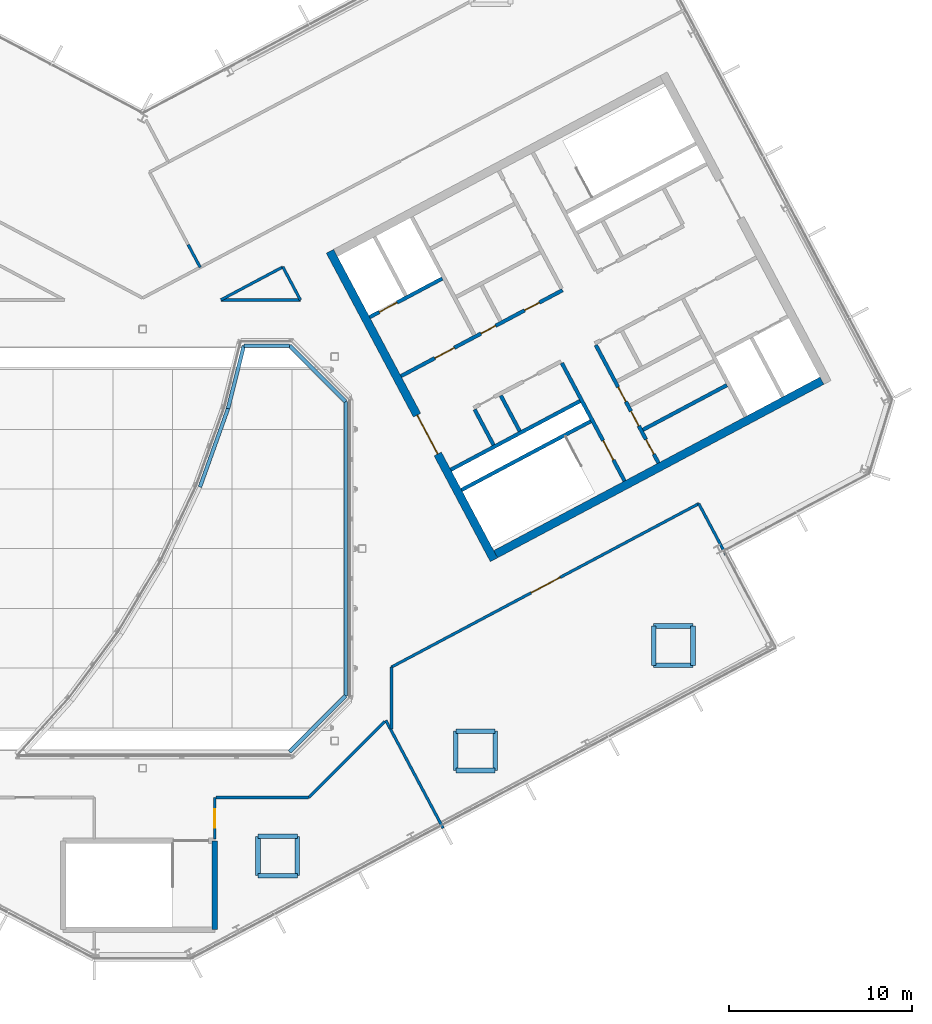
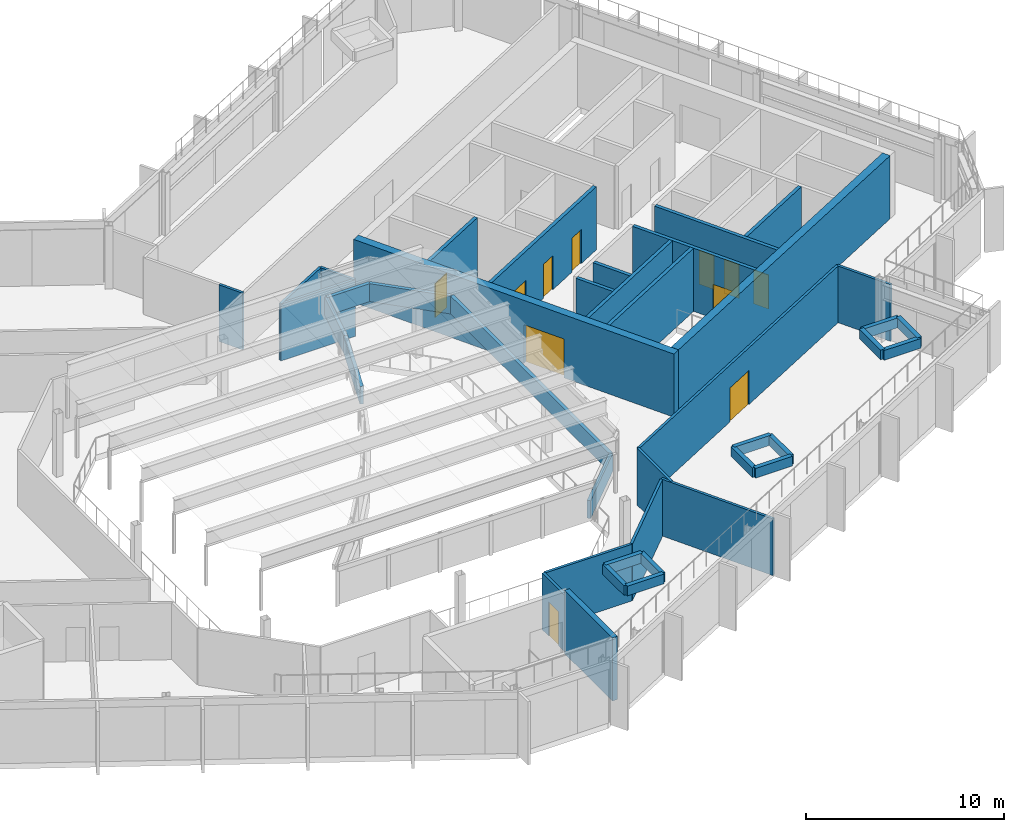
# One storey, part 26 of 35: 41 walls, 11 doors, 11 openings.
"""IFC4 building model written with IfcOpenShell, lengths in metres."""

import ifcopenshell
import ifcopenshell.guid

model = None  # the IFC model being written
_history = None  # IfcOwnerHistory: only IFC2X3 demands one
_inside = {}  # id of a spatial element -> (the spatial element, [elements in it])
_under = {}  # id of a project, library or spatial element -> (it, [spatial elements below it])
_declared = {}  # id of a project -> (the project, [libraries it declares])
_typed = {}  # id of a type object -> (the type object, [elements of that type])
_made_of = {}  # id of a material, layer set ... -> (it, [elements and type objects made of it])


def new_model(schema):
    """Start an empty IFC model of exactly this schema.

    Asked for "IFC4X3", IfcOpenShell would pick the latest addendum, in which some entities
    have other attributes; the version numbers below select the first issue.
    IFC2X3 requires an IfcOwnerHistory on every rooted entity: one is made here for all.
    """
    global model, _history
    if schema == "IFC4X3":
        model = ifcopenshell.file(schema_version=(4, 3, 0, 0))
    else:
        model = ifcopenshell.file(schema=schema)
    _inside.clear()
    _under.clear()
    _declared.clear()
    _typed.clear()
    _made_of.clear()
    _history = None
    if model.schema == "IFC2X3":
        org = make("IfcOrganization", Name="unknown")
        user = make(
            "IfcPersonAndOrganization",
            ThePerson=make("IfcPerson", FamilyName="unknown"),
            TheOrganization=org,
        )
        app = make(
            "IfcApplication",
            ApplicationDeveloper=org,
            Version="unknown",
            ApplicationFullName="unknown",
            ApplicationIdentifier="unknown",
        )
        _history = make(
            "IfcOwnerHistory",
            OwningUser=user,
            OwningApplication=app,
            ChangeAction="ADDED",
            CreationDate=0,
        )
    return model


def make(cls, **values):
    """One entity of the class cls with the attributes given. An attribute that is None is left unset."""
    return model.create_entity(
        cls, **{name: value for name, value in values.items() if value is not None}
    )


def rooted(cls, **values):
    """An entity with a GlobalId (a new one), such as an element, a storey or a relation."""
    return make(cls, GlobalId=ifcopenshell.guid.new(), OwnerHistory=_history, **values)


def si_unit(unit_type, name, prefix=None):
    """IfcSIUnit, for example si_unit("LENGTHUNIT", "METRE", prefix="MILLI")."""
    return make("IfcSIUnit", UnitType=unit_type, Prefix=prefix, Name=name)


def assignment(units):
    """IfcUnitAssignment: the units of a project."""
    return None if units is None else make("IfcUnitAssignment", Units=units)


def point(xyz):
    """IfcCartesianPoint."""
    return None if xyz is None else make("IfcCartesianPoint", Coordinates=xyz)


def direction(xyz):
    """IfcDirection."""
    return None if xyz is None else make("IfcDirection", DirectionRatios=xyz)


def frame(location, z_axis=None, x_axis=None):
    """IfcAxis2Placement3D, a coordinate frame: its origin and axes. An axis left out is left unset."""
    return make(
        "IfcAxis2Placement3D",
        Location=point(location),
        Axis=direction(z_axis),
        RefDirection=direction(x_axis),
    )


def frame_2d(location, x_axis=None):
    """IfcAxis2Placement2D, a coordinate frame in the plane: its origin and x axis."""
    return make(
        "IfcAxis2Placement2D", Location=point(location), RefDirection=direction(x_axis)
    )


def origin():
    """The frame at (0, 0, 0) with its axes left unset."""
    return frame((0.0, 0.0, 0.0))


def place(relative_to, where):
    """IfcLocalPlacement: puts the frame where relative to a parent placement (None: the world)."""
    return make(
        "IfcLocalPlacement", PlacementRelTo=relative_to, RelativePlacement=where
    )


def context(
    kind, dimensions, precision=None, world=None, true_north=None, identifier=None
):
    """IfcGeometricRepresentationContext, for example the 3D "Model" context."""
    return make(
        "IfcGeometricRepresentationContext",
        ContextIdentifier=identifier,
        ContextType=kind,
        CoordinateSpaceDimension=dimensions,
        Precision=precision,
        WorldCoordinateSystem=world,
        TrueNorth=true_north,
    )


def subcontext(parent, identifier, kind, view, scale=None):
    """IfcGeometricRepresentationSubContext, for example "Body" below "Model"."""
    return make(
        "IfcGeometricRepresentationSubContext",
        ContextIdentifier=identifier,
        ContextType=kind,
        ParentContext=parent,
        TargetScale=scale,
        TargetView=view,
    )


def project(units=None, contexts=None):
    """IfcProject with its units and contexts."""
    return rooted(
        "IfcProject",
        Name="project",
        RepresentationContexts=contexts,
        UnitsInContext=assignment(units),
    )


def spatial(cls, under=None, at=None, **own):
    """A site, building, storey or space (cls), placed at a placement, below another one or the project."""
    s = rooted(cls, ObjectPlacement=at, **own)
    if under is not None:
        _under.setdefault(under.id(), (under, []))[1].append(s)
    return s


def profile(cls, at=None, kind="AREA", **sizes):
    """A parametric profile (cls). Its sizes go by their IFC names, for example OverallWidth=200.0."""
    return make(cls, ProfileType=kind, Position=at, **sizes)


def rectangle(**sizes):
    """IfcRectangleProfileDef."""
    return profile("IfcRectangleProfileDef", **sizes)


def extrude(swept, where, along, depth):
    """IfcExtrudedAreaSolid: the profile swept, set in the frame where, extruded along a direction by depth."""
    return make(
        "IfcExtrudedAreaSolid",
        SweptArea=swept,
        Position=where,
        ExtrudedDirection=direction(along),
        Depth=depth,
    )


def shape(context_of_items, identifier, shape_type, items):
    """IfcShapeRepresentation: the items that make up one representation, for example the "Body"."""
    return make(
        "IfcShapeRepresentation",
        ContextOfItems=context_of_items,
        RepresentationIdentifier=identifier,
        RepresentationType=shape_type,
        Items=items,
    )


def material(Name=None, Category=None):
    """IfcMaterial."""
    return make("IfcMaterial", Name=Name, Category=Category)


def layer(
    of_material, thickness, ventilated=None, Name=None, Category=None, Priority=None
):
    """IfcMaterialLayer: one layer of a wall or slab, of a material (None: an air gap)."""
    return make(
        "IfcMaterialLayer",
        Material=of_material,
        LayerThickness=thickness,
        IsVentilated=ventilated,
        Name=Name,
        Category=Category,
        Priority=Priority,
    )


def layer_set(layers, Name=None):
    """IfcMaterialLayerSet."""
    return make("IfcMaterialLayerSet", MaterialLayers=layers, LayerSetName=Name)


def made_of(thing, what):
    """Note that an element or type object is made of a material, layer set ...; save() writes the relation."""
    if what is not None:
        _made_of.setdefault(what.id(), (what, []))[1].append(thing)
    return thing


def type_object(cls, material=None, **own):
    """A type object (cls), such as IfcWallType, which elements share."""
    return made_of(rooted(cls, **own), material)


def element(
    cls,
    number,
    at=None,
    inside=None,
    cuts=None,
    type_object=None,
    material=None,
    context=None,
    identifier="Body",
    shape_type=None,
    held_by="IfcProductDefinitionShape",
    body=None,
    shapes=None,
    **own,
):
    """One element of the class cls, such as IfcWall. Its Tag is "e" and its number.

    at: its placement. inside: the storey or other place that contains it. cuts: it is an
    opening in that element (IfcRelVoidsElement). A single representation is given by context,
    identifier, shape_type and body (its items); several are given by shapes. held_by: the class
    of the entity that holds the representations. save() writes the other relations.
    """
    e = rooted(cls, Tag="e%d" % number, ObjectPlacement=at, **own)
    if body is not None:
        shapes = [shape(context, identifier, shape_type, body)]
    if shapes is not None:
        e.Representation = make(held_by, Representations=shapes)
    if inside is not None:
        _inside.setdefault(inside.id(), (inside, []))[1].append(e)
    if cuts is not None:
        rooted(
            "IfcRelVoidsElement", RelatingBuildingElement=cuts, RelatedOpeningElement=e
        )
    if type_object is not None:
        _typed.setdefault(type_object.id(), (type_object, []))[1].append(e)
    return made_of(e, material)


def fill(opening, filler):
    """IfcRelFillsElement: the door or window that sits in an opening."""
    return rooted(
        "IfcRelFillsElement",
        RelatingOpeningElement=opening,
        RelatedBuildingElement=filler,
    )


def aggregate(whole, parts):
    """IfcRelAggregates: a whole, such as a stair, and the parts it consists of."""
    return rooted("IfcRelAggregates", RelatingObject=whole, RelatedObjects=parts)


def save(model, path):
    """Write the relations noted so far, then the file.

    IfcRelAggregates (storeys below a building ...), IfcRelContainedInSpatialStructure (elements
    in a storey), IfcRelDefinesByType, IfcRelAssociatesMaterial and IfcRelDeclares: one each for
    every whole, place, type object, material and project.
    """
    for whole, parts in _under.values():
        aggregate(whole, parts)
    for where, things in _inside.values():
        rooted(
            "IfcRelContainedInSpatialStructure",
            RelatedElements=things,
            RelatingStructure=where,
        )
    for kind, things in _typed.values():
        rooted("IfcRelDefinesByType", RelatedObjects=things, RelatingType=kind)
    for what, things in _made_of.values():
        rooted("IfcRelAssociatesMaterial", RelatedObjects=things, RelatingMaterial=what)
    for by, libraries in _declared.values():
        rooted("IfcRelDeclares", RelatingContext=by, RelatedDefinitions=libraries)
    model.write(path)


model = new_model("IFC4")

# Units and contexts
model_context = context("Model", 3, precision=1e-05, world=origin(), true_north=direction((0.0, 1.0)))
body_context = subcontext(model_context, "Body", "Model", "MODEL_VIEW")
ifc_project = project(units=[si_unit("LENGTHUNIT", "METRE"), si_unit("AREAUNIT", "SQUARE_METRE"), si_unit("VOLUMEUNIT", "CUBIC_METRE"), si_unit("PLANEANGLEUNIT", "RADIAN"), si_unit("MASSUNIT", "GRAM", prefix="KILO")], contexts=[model_context])

# Site, building, storey
site_placement = place(None, origin())
site = spatial("IfcSite", under=ifc_project, at=site_placement, CompositionType="ELEMENT")
building_placement = place(site_placement, origin())
building = spatial("IfcBuilding", under=site, at=building_placement, Name="Cormorant Relay Tower", CompositionType="ELEMENT")
storey_placement = place(building_placement, frame((0.0, 0.0, 324.300048828125)))
storey = spatial("IfcBuildingStorey", under=building, at=storey_placement, Name="L74", CompositionType="ELEMENT", Elevation=324.300048828125)

# Walls
ifc_material_1 = material(Name="Concrete 40 MPa", Category="concrete")
ifc_layer_1 = layer(ifc_material_1, 0.199951171875)
ifc_layer_set_1 = layer_set([ifc_layer_1], Name="Core internal wall 200")
wall_type_1 = type_object("IfcWallType", Name="Core internal wall 200", PredefinedType="SOLIDWALL", material=ifc_layer_set_1)
wall_1_placement = place(storey_placement, frame((20.614013671875, 6.430419921875, 0.0), z_axis=(0.0, 0.0, 1.0), x_axis=(-0.4694473164, 0.882960484464, 0.0)))
element("IfcWall", 1, at=wall_1_placement, inside=storey, type_object=wall_type_1, Name="L74 core B shaft and room wall", PredefinedType="SOLIDWALL", context=body_context, shape_type="SweptSolid", body=[
    extrude(rectangle(XDim=2.199951171875, YDim=0.199951171875, at=frame_2d((1.10009765625, 0.0))), origin(), (0.0, 0.0, 1.0), 3.89990234375),
])
wall_2_placement = place(storey_placement, frame((27.349365234375, 6.500732421875, 0.0), z_axis=(0.0, 0.0, 1.0), x_axis=(0.882953967957, 0.469459572775, 0.0)))
element("IfcWall", 2, at=wall_2_placement, inside=storey, type_object=wall_type_1, Name="L74 core B shaft and room wall", PredefinedType="SOLIDWALL", context=body_context, shape_type="SweptSolid", body=[
    extrude(rectangle(XDim=5.199951171875, YDim=0.199951171875, at=frame_2d((2.60009765625, 0.0))), origin(), (0.0, 0.0, 1.0), 3.89990234375),
])
ifc_material_2 = material(Name="Concrete 50 MPa", Category="concrete")
ifc_layer_2 = layer(ifc_material_2, 0.199951171875)
ifc_layer_set_2 = layer_set([ifc_layer_2], Name="Core shaft wall 200")
wall_type_2 = type_object("IfcWallType", Name="Core shaft wall 200", PredefinedType="SHEAR", material=ifc_layer_set_2)
wall_3_placement = place(storey_placement, frame((19.18359375, 5.669921875, 0.0), z_axis=(0.0, 0.0, 1.0), x_axis=(-0.4694473164, 0.882960484464, 0.0)))
element("IfcWall", 3, at=wall_3_placement, inside=storey, type_object=wall_type_2, Name="L74 core B shaft wall", PredefinedType="SHEAR", context=body_context, shape_type="SweptSolid", body=[
    extrude(rectangle(XDim=2.199951171875, YDim=0.199951171875, at=frame_2d((1.10009765625, 0.0))), origin(), (0.0, 0.0, 1.0), 3.89990234375),
])

# Wall, opening, door
wall_4_placement = place(storey_placement, frame((26.345947265625, 3.701904296875, 0.0), z_axis=(0.0, 0.0, 1.0), x_axis=(-0.469480409012, 0.88294288918, 0.0)))
wall_4 = element("IfcWall", 4, at=wall_4_placement, inside=storey, type_object=wall_type_2, Name="L74 core B shaft wall", PredefinedType="SHEAR", context=body_context, shape_type="SweptSolid", body=[
    extrude(rectangle(XDim=7.300048828125, YDim=0.199951171875, at=frame_2d((3.64990234375, 0.0))), origin(), (0.0, 0.0, 1.0), 3.89990234375),
])
opening_1_placement = place(wall_4_placement, frame((1.300048828125, 0.0, 0.0)))
opening_1 = element("IfcOpeningElement", 5, at=opening_1_placement, cuts=wall_4, Name="Opening CDB-040", PredefinedType="OPENING", context=body_context, shape_type="SweptSolid", body=[
    extrude(rectangle(XDim=1.199951171875, YDim=2.10009765625, at=frame_2d((0.60009765625, 1.050048828125))), frame((0.0, 0.10986328125, 0.0), z_axis=(0.0, -1.0, 0.0), x_axis=(1.0, 0.0, 0.0)), (0.0, 0.0, 1.0), 0.219970703125),
])
ifc_material_3 = material(Name="Steel fire door", Category="steel")
door_type_1 = type_object("IfcDoorType", Name="Core stair door 1200x2100", OperationType="SINGLE_SWING_LEFT", PredefinedType="DOOR", material=ifc_material_3)
door_1_placement = place(opening_1_placement, origin())
door_1 = element("IfcDoor", 6, at=door_1_placement, inside=storey, type_object=door_type_1, Name="Core stair door 1200x2100", OperationType="SINGLE_SWING_RIGHT", OverallHeight=2.10009765625, OverallWidth=1.199951171875, PredefinedType="DOOR", context=body_context, shape_type="SweptSolid", body=[
    extrude(rectangle(XDim=1.199951171875, YDim=2.10009765625, at=frame_2d((0.60009765625, 1.050048828125))), frame((0.0, 0.02490234375, 0.0), z_axis=(0.0, -1.0, 0.0), x_axis=(1.0, 0.0, 0.0)), (0.0, 0.0, 1.0), 0.050048828125),
])
fill(opening_1, door_1)

# Wall, openings, doors
wall_5_placement = place(storey_placement, frame((28.199951171875, 4.687744140625, 0.0), z_axis=(0.0, 0.0, 1.0), x_axis=(-0.469454336211, 0.882956752176, 0.0)))
wall_5 = element("IfcWall", 7, at=wall_5_placement, inside=storey, type_object=wall_type_2, Name="L74 core B shaft wall", PredefinedType="SHEAR", context=body_context, shape_type="SweptSolid", body=[
    extrude(rectangle(XDim=7.300048828125, YDim=0.199951171875, at=frame_2d((3.64990234375, 0.0))), origin(), (0.0, 0.0, 1.0), 3.89990234375),
])
opening_2_placement = place(wall_5_placement, frame((0.550048828125, 0.0, 0.0)))
opening_2 = element("IfcOpeningElement", 8, at=opening_2_placement, cuts=wall_5, Name="Opening CDD-265", PredefinedType="OPENING", context=body_context, shape_type="SweptSolid", body=[
    extrude(rectangle(XDim=0.89990234375, YDim=2.10009765625, at=frame_2d((0.449951171875, 1.050048828125))), frame((0.0, 0.10986328125, 0.0), z_axis=(0.0, -1.0, 0.0), x_axis=(1.0, 0.0, 0.0)), (0.0, 0.0, 1.0), 0.219970703125),
])
opening_3_placement = place(wall_5_placement, frame((2.300048828125, 0.0, 0.0)))
opening_3 = element("IfcOpeningElement", 9, at=opening_3_placement, cuts=wall_5, Name="Opening CDD-266", PredefinedType="OPENING", context=body_context, shape_type="SweptSolid", body=[
    extrude(rectangle(XDim=0.89990234375, YDim=2.10009765625, at=frame_2d((0.449951171875, 1.050048828125))), frame((0.0, 0.10986328125, 0.0), z_axis=(0.0, -1.0, 0.0), x_axis=(1.0, 0.0, 0.0)), (0.0, 0.0, 1.0), 0.219970703125),
])
opening_4_placement = place(wall_5_placement, frame((3.800048828125, 0.0, 0.0)))
opening_4 = element("IfcOpeningElement", 10, at=opening_4_placement, cuts=wall_5, Name="Opening CDD-267", PredefinedType="OPENING", context=body_context, shape_type="SweptSolid", body=[
    extrude(rectangle(XDim=0.89990234375, YDim=2.10009765625, at=frame_2d((0.449951171875, 1.050048828125))), frame((0.0, 0.10986328125, 0.0), z_axis=(0.0, -1.0, 0.0), x_axis=(1.0, 0.0, 0.0)), (0.0, 0.0, 1.0), 0.219970703125),
])
ifc_material_4 = material(Name="Steel fire door", Category="steel")
door_type_2 = type_object("IfcDoorType", Name="Core room door 900x2100", OperationType="SINGLE_SWING_LEFT", PredefinedType="DOOR", material=ifc_material_4)
door_2_placement = place(opening_2_placement, frame((0.89990234375, 0.0, 0.0), z_axis=(0.0, 0.0, 1.0), x_axis=(-1.0, 0.0, 0.0)))
door_2 = element("IfcDoor", 11, at=door_2_placement, inside=storey, type_object=door_type_2, Name="Core room door 900x2100", OperationType="SINGLE_SWING_LEFT", OverallHeight=2.10009765625, OverallWidth=0.89990234375, PredefinedType="DOOR", context=body_context, shape_type="SweptSolid", body=[
    extrude(rectangle(XDim=0.89990234375, YDim=2.10009765625, at=frame_2d((0.449951171875, 1.050048828125))), frame((0.0, 0.02490234375, 0.0), z_axis=(0.0, -1.0, 0.0), x_axis=(1.0, 0.0, 0.0)), (0.0, 0.0, 1.0), 0.050048828125),
])
fill(opening_2, door_2)
door_3_placement = place(opening_3_placement, frame((0.89990234375, 0.0, 0.0), z_axis=(0.0, 0.0, 1.0), x_axis=(-1.0, 0.0, 0.0)))
door_3 = element("IfcDoor", 12, at=door_3_placement, inside=storey, type_object=door_type_2, Name="Core room door 900x2100", OperationType="SINGLE_SWING_LEFT", OverallHeight=2.10009765625, OverallWidth=0.89990234375, PredefinedType="DOOR", context=body_context, shape_type="SweptSolid", body=[
    extrude(rectangle(XDim=0.89990234375, YDim=2.10009765625, at=frame_2d((0.449951171875, 1.050048828125))), frame((0.0, 0.02490234375, 0.0), z_axis=(0.0, -1.0, 0.0), x_axis=(1.0, 0.0, 0.0)), (0.0, 0.0, 1.0), 0.050048828125),
])
fill(opening_3, door_3)
door_4_placement = place(opening_4_placement, frame((0.89990234375, 0.0, 0.0), z_axis=(0.0, 0.0, 1.0), x_axis=(-1.0, 0.0, 0.0)))
door_4 = element("IfcDoor", 13, at=door_4_placement, inside=storey, type_object=door_type_2, Name="Core room door 900x2100", OperationType="SINGLE_SWING_LEFT", OverallHeight=2.10009765625, OverallWidth=0.89990234375, PredefinedType="DOOR", context=body_context, shape_type="SweptSolid", body=[
    extrude(rectangle(XDim=0.89990234375, YDim=2.10009765625, at=frame_2d((0.449951171875, 1.050048828125))), frame((0.0, 0.02490234375, 0.0), z_axis=(0.0, -1.0, 0.0), x_axis=(1.0, 0.0, 0.0)), (0.0, 0.0, 1.0), 0.050048828125),
])
fill(opening_4, door_4)

# Walls
for number, where, z_axis, x_axis, name in (
    (14, (17.43359375, 3.210205078125, 0.0), (0.0, 0.0, 1.0), (0.882940221191, 0.469485426614, 0.0), "L74 core B shaft wall"),
    (15, (16.8466796875, 4.31396484375, 0.0), (0.0, 0.0, 1.0), (0.882940221191, 0.469485426614, 0.0), "L74 core B shaft wall"),
):
    element("IfcWall", number, at=place(storey_placement, frame(where, z_axis=z_axis, x_axis=x_axis)), inside=storey, type_object=wall_type_2, Name=name, PredefinedType="SHEAR", context=body_context, shape_type="SweptSolid", body=[
        extrude(rectangle(XDim=8.0, YDim=0.199951171875, at=frame_2d((4.0, 0.0))), origin(), (0.0, 0.0, 1.0), 3.89990234375),
    ])

# Wall, openings, doors
wall_6_placement = place(storey_placement, frame((14.123779296875, 9.43505859375, 0.0), z_axis=(0.0, 0.0, 1.0), x_axis=(0.882940221191, 0.469485426614, 0.0)))
wall_6 = element("IfcWall", 16, at=wall_6_placement, inside=storey, type_object=wall_type_2, Name="L74 core B shaft wall", PredefinedType="SHEAR", context=body_context, shape_type="SweptSolid", body=[
    extrude(rectangle(XDim=10.0, YDim=0.199951171875, at=frame_2d((5.0, 0.0))), origin(), (0.0, 0.0, 1.0), 3.89990234375),
])
opening_5_placement = place(wall_6_placement, frame((2.10009765625, 0.0, 0.0)))
opening_5 = element("IfcOpeningElement", 17, at=opening_5_placement, cuts=wall_6, Name="Opening CDC-037", PredefinedType="OPENING", context=body_context, shape_type="SweptSolid", body=[
    extrude(rectangle(XDim=1.199951171875, YDim=2.10009765625, at=frame_2d((0.60009765625, 1.050048828125))), frame((0.0, 0.10986328125, 0.0), z_axis=(0.0, -1.0, 0.0), x_axis=(1.0, 0.0, 0.0)), (0.0, 0.0, 1.0), 0.219970703125),
])
opening_6_placement = place(wall_6_placement, frame((4.9599609375, 0.0, 0.0)))
opening_6 = element("IfcOpeningElement", 18, at=opening_6_placement, cuts=wall_6, Name="Opening CDD-293", PredefinedType="OPENING", context=body_context, shape_type="SweptSolid", body=[
    extrude(rectangle(XDim=0.89990234375, YDim=2.10009765625, at=frame_2d((0.449951171875, 1.050048828125))), frame((0.0, 0.10986328125, 0.0), z_axis=(0.0, -1.0, 0.0), x_axis=(1.0, 0.0, 0.0)), (0.0, 0.0, 1.0), 0.219970703125),
])
opening_7_placement = place(wall_6_placement, frame((7.659912109375, 0.0, 0.0)))
opening_7 = element("IfcOpeningElement", 19, at=opening_7_placement, cuts=wall_6, Name="Opening CDD-272", PredefinedType="OPENING", context=body_context, shape_type="SweptSolid", body=[
    extrude(rectangle(XDim=0.89990234375, YDim=2.10009765625, at=frame_2d((0.449951171875, 1.050048828125))), frame((0.0, 0.10986328125, 0.0), z_axis=(0.0, -1.0, 0.0), x_axis=(1.0, 0.0, 0.0)), (0.0, 0.0, 1.0), 0.219970703125),
])
ifc_material_5 = material(Name="Steel fire door", Category="steel")
door_type_3 = type_object("IfcDoorType", Name="Core lobby door 1200x2100", OperationType="SINGLE_SWING_LEFT", PredefinedType="DOOR", material=ifc_material_5)
door_5_placement = place(opening_5_placement, origin())
door_5 = element("IfcDoor", 20, at=door_5_placement, inside=storey, type_object=door_type_3, Name="Core lobby door 1200x2100", OperationType="SINGLE_SWING_RIGHT", OverallHeight=2.10009765625, OverallWidth=1.199951171875, PredefinedType="DOOR", context=body_context, shape_type="SweptSolid", body=[
    extrude(rectangle(XDim=1.199951171875, YDim=2.10009765625, at=frame_2d((0.60009765625, 1.050048828125))), frame((0.0, 0.02490234375, 0.0), z_axis=(0.0, -1.0, 0.0), x_axis=(1.0, 0.0, 0.0)), (0.0, 0.0, 1.0), 0.050048828125),
])
fill(opening_5, door_5)
door_6_placement = place(opening_6_placement, origin())
door_6 = element("IfcDoor", 21, at=door_6_placement, inside=storey, type_object=door_type_2, Name="Core room door 900x2100", OperationType="SINGLE_SWING_LEFT", OverallHeight=2.10009765625, OverallWidth=0.89990234375, PredefinedType="DOOR", context=body_context, shape_type="SweptSolid", body=[
    extrude(rectangle(XDim=0.89990234375, YDim=2.10009765625, at=frame_2d((0.449951171875, 1.050048828125))), frame((0.0, 0.02490234375, 0.0), z_axis=(0.0, -1.0, 0.0), x_axis=(1.0, 0.0, 0.0)), (0.0, 0.0, 1.0), 0.050048828125),
])
fill(opening_6, door_6)
door_7_placement = place(opening_7_placement, origin())
door_7 = element("IfcDoor", 22, at=door_7_placement, inside=storey, type_object=door_type_2, Name="Core room door 900x2100", OperationType="SINGLE_SWING_LEFT", OverallHeight=2.10009765625, OverallWidth=0.89990234375, PredefinedType="DOOR", context=body_context, shape_type="SweptSolid", body=[
    extrude(rectangle(XDim=0.89990234375, YDim=2.10009765625, at=frame_2d((0.449951171875, 1.050048828125))), frame((0.0, 0.02490234375, 0.0), z_axis=(0.0, -1.0, 0.0), x_axis=(1.0, 0.0, 0.0)), (0.0, 0.0, 1.0), 0.050048828125),
])
fill(opening_7, door_7)

# Wall, opening, door
wall_7_placement = place(storey_placement, frame((12.41015625, 12.657958984375, 0.0), z_axis=(0.0, 0.0, 1.0), x_axis=(0.8829484765, 0.469469900894, 0.0)))
wall_7 = element("IfcWall", 23, at=wall_7_placement, inside=storey, type_object=wall_type_2, Name="L74 core B shaft wall", PredefinedType="SHEAR", context=body_context, shape_type="SweptSolid", body=[
    extrude(rectangle(XDim=4.499755859375, YDim=0.199951171875, at=frame_2d((2.25, 0.0))), origin(), (0.0, 0.0, 1.0), 3.89990234375),
])
opening_8_placement = place(wall_7_placement, frame((0.60009765625, 0.0, 0.0)))
opening_8 = element("IfcOpeningElement", 24, at=opening_8_placement, cuts=wall_7, Name="Opening LD1-064", PredefinedType="OPENING", context=body_context, shape_type="SweptSolid", body=[
    extrude(rectangle(XDim=1.10009765625, YDim=2.10009765625, at=frame_2d((0.550048828125, 1.050048828125))), frame((0.0, 0.10986328125, 0.0), z_axis=(0.0, -1.0, 0.0), x_axis=(1.0, 0.0, 0.0)), (0.0, 0.0, 1.0), 0.219970703125),
])
ifc_material_6 = material(Name="Stainless steel 316", Category="steel")
door_type_4 = type_object("IfcDoorType", Name="Lift landing door 1100x2100", OperationType="DOUBLE_DOOR_SLIDING", PredefinedType="DOOR", material=ifc_material_6)
door_8_placement = place(opening_8_placement, origin())
door_8 = element("IfcDoor", 25, at=door_8_placement, inside=storey, type_object=door_type_4, Name="FF2 landing door", OperationType="DOUBLE_DOOR_SLIDING", OverallHeight=2.10009765625, OverallWidth=1.10009765625, PredefinedType="DOOR", context=body_context, shape_type="SweptSolid", body=[
    extrude(rectangle(XDim=1.10009765625, YDim=2.10009765625, at=frame_2d((0.550048828125, 1.050048828125))), frame((0.0, 0.02490234375, 0.0), z_axis=(0.0, -1.0, 0.0), x_axis=(1.0, 0.0, 0.0)), (0.0, 0.0, 1.0), 0.050048828125),
])
fill(opening_8, door_8)

ifc_material_7 = material(Name="Concrete 50 MPa", Category="concrete")
ifc_layer_3 = layer(ifc_material_7, 0.449951171875)
ifc_layer_set_3 = layer_set([ifc_layer_3], Name="Core wall 450")
wall_type_3 = type_object("IfcWallType", Name="Core wall 450", PredefinedType="SHEAR", material=ifc_layer_set_3)
wall_8_placement = place(storey_placement, frame((19.20654296875, -0.603759765625, 0.0), z_axis=(0.0, 0.0, 1.0), x_axis=(-0.469467968382, 0.882949504028, 0.0)))
wall_8 = element("IfcWall", 26, at=wall_8_placement, inside=storey, type_object=wall_type_3, Name="L74 core B wall", PredefinedType="SHEAR", context=body_context, shape_type="SweptSolid", body=[
    extrude(rectangle(XDim=19.099853515625, YDim=0.449951171875, at=frame_2d((9.5498046875, 0.0))), origin(), (0.0, 0.0, 1.0), 3.89990234375),
])
opening_9_placement = place(wall_8_placement, frame((6.550048828125, 0.0, 0.0)))
opening_9 = element("IfcOpeningElement", 27, at=opening_9_placement, cuts=wall_8, Name="Opening CDA-055", PredefinedType="OPENING", context=body_context, shape_type="SweptSolid", body=[
    extrude(rectangle(XDim=2.39990234375, YDim=2.39990234375, at=frame_2d((1.199951171875, 1.199951171875))), frame((0.0, 0.23486328125, 0.0), z_axis=(0.0, -1.0, 0.0), x_axis=(1.0, 0.0, 0.0)), (0.0, 0.0, 1.0), 0.469970703125),
])
ifc_material_8 = material(Name="Steel fire door", Category="steel")
door_type_5 = type_object("IfcDoorType", Name="Core lobby door 2400x2400", OperationType="DOUBLE_DOOR_SINGLE_SWING", PredefinedType="DOOR", material=ifc_material_8)
door_9_placement = place(opening_9_placement, origin())
door_9 = element("IfcDoor", 28, at=door_9_placement, inside=storey, type_object=door_type_5, Name="Core lobby door 2400x2400", OperationType="DOUBLE_DOOR_SINGLE_SWING", OverallHeight=2.39990234375, OverallWidth=2.39990234375, PredefinedType="DOOR", context=body_context, shape_type="SweptSolid", body=[
    extrude(rectangle(XDim=2.39990234375, YDim=2.39990234375, at=frame_2d((1.199951171875, 1.199951171875))), frame((0.0, 0.02490234375, 0.0), z_axis=(0.0, -1.0, 0.0), x_axis=(1.0, 0.0, 0.0)), (0.0, 0.0, 1.0), 0.050048828125),
])
fill(opening_9, door_9)

# Wall
wall_9_placement = place(storey_placement, frame((19.299560546875, -0.29931640625, 0.0), z_axis=(0.0, 0.0, 1.0), x_axis=(0.88295276571, 0.46946183394, 0.0)))
element("IfcWall", 29, at=wall_9_placement, inside=storey, type_object=wall_type_3, Name="L74 core B wall", PredefinedType="SHEAR", context=body_context, shape_type="SweptSolid", body=[
    extrude(rectangle(XDim=20.199951171875, YDim=0.449951171875, at=frame_2d((10.10009765625, 0.0))), origin(), (0.0, 0.0, 1.0), 3.89990234375),
])

# Wall, opening, door
ifc_material_9 = material(Name="Gypsum board fire partition")
ifc_layer_4 = layer(ifc_material_9, 0.14990234375)
ifc_layer_set_4 = layer_set([ifc_layer_4], Name="Corridor partition 150 EI 60")
wall_type_4 = type_object("IfcWallType", Name="Corridor partition 150 EI 60", PredefinedType="PARTITIONING", material=ifc_layer_set_4)
wall_10_placement = place(storey_placement, frame((3.949951171875, -13.60009765625, 0.0), z_axis=(0.0, 0.0, 1.0), x_axis=(0.0, -1.0, 0.0)))
wall_10 = element("IfcWall", 30, at=wall_10_placement, inside=storey, type_object=wall_type_4, Name="wall/L74/part/038", PredefinedType="PARTITIONING", context=body_context, shape_type="SweptSolid", body=[
    extrude(rectangle(XDim=2.27490234375, YDim=0.14990234375, at=frame_2d((1.137451171875, 0.0))), origin(), (0.0, 0.0, 1.0), 3.5),
])
opening_10_placement = place(wall_10_placement, frame((0.64990234375, 0.0, 0.0)))
opening_10 = element("IfcOpeningElement", 31, at=opening_10_placement, cuts=wall_10, Name="Opening DS-285", PredefinedType="OPENING", context=body_context, shape_type="SweptSolid", body=[
    extrude(rectangle(XDim=1.0, YDim=2.10009765625, at=frame_2d((0.5, 1.050048828125))), frame((0.0, 0.0849609375, 0.0), z_axis=(0.0, -1.0, 0.0), x_axis=(1.0, 0.0, 0.0)), (0.0, 0.0, 1.0), 0.169921875),
])
ifc_material_10 = material(Name="Timber door leaf", Category="wood")
door_type_6 = type_object("IfcDoorType", Name="Suite door 1000x2100", OperationType="SINGLE_SWING_LEFT", PredefinedType="DOOR", material=ifc_material_10)
door_10_placement = place(opening_10_placement, origin())
door_10 = element("IfcDoor", 32, at=door_10_placement, inside=storey, type_object=door_type_6, Name="door/L74/005", OperationType="SINGLE_SWING_LEFT", OverallHeight=2.10009765625, OverallWidth=1.0, PredefinedType="DOOR", context=body_context, shape_type="SweptSolid", body=[
    extrude(rectangle(XDim=1.0, YDim=2.10009765625, at=frame_2d((0.5, 1.050048828125))), frame((0.0, 0.02490234375, 0.0), z_axis=(0.0, -1.0, 0.0), x_axis=(1.0, 0.0, 0.0)), (0.0, 0.0, 1.0), 0.050048828125),
])
fill(opening_10, door_10)

# Walls
wall_11_placement = place(storey_placement, frame((13.23291015625, -9.444091796875, 0.0), z_axis=(0.0, 0.0, 1.0), x_axis=(-0.707106781187, -0.707106781187, 0.0)))
element("IfcWall", 33, at=wall_11_placement, inside=storey, type_object=wall_type_4, Name="wall/L74/part/039", PredefinedType="PARTITIONING", context=body_context, shape_type="SweptSolid", body=[
    extrude(rectangle(XDim=5.87744140625, YDim=0.14990234375, at=frame_2d((2.938720703125, 0.0))), origin(), (0.0, 0.0, 1.0), 3.5),
])
wall_12_placement = place(storey_placement, frame((9.076904296875, -13.60009765625, 0.0), z_axis=(0.0, 0.0, 1.0), x_axis=(-1.0, 0.0, 0.0)))
element("IfcWall", 34, at=wall_12_placement, inside=storey, type_object=wall_type_4, Name="wall/L74/part/040", PredefinedType="PARTITIONING", context=body_context, shape_type="SweptSolid", body=[
    extrude(rectangle(XDim=5.052001953125, YDim=0.14990234375, at=frame_2d((2.52587890625, 0.0))), origin(), (0.0, 0.0, 1.0), 3.5),
])
wall_13_placement = place(storey_placement, frame((13.60009765625, -6.472900390625, 0.0), z_axis=(0.0, 0.0, 1.0), x_axis=(0.0, -1.0, 0.0)))
element("IfcWall", 35, at=wall_13_placement, inside=storey, type_object=wall_type_4, Name="wall/L74/part/042", PredefinedType="PARTITIONING", context=body_context, shape_type="SweptSolid", body=[
    extrude(rectangle(XDim=3.373046875, YDim=0.14990234375, at=frame_2d((1.6865234375, 0.0))), origin(), (0.0, 0.0, 1.0), 3.5),
])

# Wall, opening, door
wall_14_placement = place(storey_placement, frame((13.60009765625, -6.472900390625, 0.0), z_axis=(0.0, 0.0, 1.0), x_axis=(0.882936434037, 0.469492548877, 0.0)))
wall_14 = element("IfcWall", 36, at=wall_14_placement, inside=storey, type_object=wall_type_4, Name="wall/L74/part/043", PredefinedType="PARTITIONING", context=body_context, shape_type="SweptSolid", body=[
    extrude(rectangle(XDim=19.03076171875, YDim=0.14990234375, at=frame_2d((9.515380859375, 0.0))), origin(), (0.0, 0.0, 1.0), 3.5),
])
opening_11_placement = place(wall_14_placement, frame((8.64990234375, 0.0, 0.0)))
opening_11 = element("IfcOpeningElement", 37, at=opening_11_placement, cuts=wall_14, Name="Opening DD-047", PredefinedType="OPENING", context=body_context, shape_type="SweptSolid", body=[
    extrude(rectangle(XDim=1.800048828125, YDim=2.10009765625, at=frame_2d((0.89990234375, 1.050048828125))), frame((0.0, 0.0849609375, 0.0), z_axis=(0.0, -1.0, 0.0), x_axis=(1.0, 0.0, 0.0)), (0.0, 0.0, 1.0), 0.169921875),
])
ifc_material_11 = material(Name="Timber door leaf", Category="wood")
door_type_7 = type_object("IfcDoorType", Name="Suite double door 1800x2100", OperationType="DOUBLE_DOOR_SINGLE_SWING", PredefinedType="DOOR", material=ifc_material_11)
door_11_placement = place(opening_11_placement, frame((1.800048828125, 0.0, 0.0), z_axis=(0.0, 0.0, 1.0), x_axis=(-1.0, 0.0, 0.0)))
door_11 = element("IfcDoor", 38, at=door_11_placement, inside=storey, type_object=door_type_7, Name="door/L74/006", OperationType="DOUBLE_DOOR_SINGLE_SWING", OverallHeight=2.10009765625, OverallWidth=1.800048828125, PredefinedType="DOOR", context=body_context, shape_type="SweptSolid", body=[
    extrude(rectangle(XDim=1.800048828125, YDim=2.10009765625, at=frame_2d((0.89990234375, 1.050048828125))), frame((0.0, 0.02490234375, 0.0), z_axis=(0.0, -1.0, 0.0), x_axis=(1.0, 0.0, 0.0)), (0.0, 0.0, 1.0), 0.050048828125),
])
fill(opening_11, door_11)

# Walls
wall_15_placement = place(storey_placement, frame((30.403076171875, 2.4619140625, 0.0), z_axis=(0.0, 0.0, 1.0), x_axis=(0.469572246647, -0.882894050936, 0.0)))
element("IfcWall", 39, at=wall_15_placement, inside=storey, type_object=wall_type_4, Name="wall/L74/part/044", PredefinedType="PARTITIONING", context=body_context, shape_type="SweptSolid", body=[
    extrude(rectangle(XDim=3.181396484375, YDim=0.14990234375, at=frame_2d((1.5908203125, 0.0))), origin(), (0.0, 0.0, 1.0), 3.5),
])
wall_16_placement = place(storey_placement, frame((8.625, 13.60009765625, 0.0), z_axis=(0.0, 0.0, 1.0), x_axis=(-0.469420518513, 0.882974731688, 0.0)))
element("IfcWall", 40, at=wall_16_placement, inside=storey, type_object=wall_type_4, Name="wall/L74/part/057", PredefinedType="PARTITIONING", context=body_context, shape_type="SweptSolid", body=[
    extrude(rectangle(XDim=2.040771484375, YDim=0.14990234375, at=frame_2d((1.0205078125, 0.0))), origin(), (0.0, 0.0, 1.0), 3.5),
])
wall_17_placement = place(storey_placement, frame((7.6669921875, 15.402099609375, 0.0), z_axis=(0.0, 0.0, 1.0), x_axis=(-0.882994654303, -0.469383042378, 0.0)))
element("IfcWall", 41, at=wall_17_placement, inside=storey, type_object=wall_type_4, Name="wall/L74/part/058", PredefinedType="PARTITIONING", context=body_context, shape_type="SweptSolid", body=[
    extrude(rectangle(XDim=3.839111328125, YDim=0.14990234375, at=frame_2d((1.91943359375, 0.0))), origin(), (0.0, 0.0, 1.0), 3.5),
])
wall_18_placement = place(storey_placement, frame((4.277099609375, 13.60009765625, 0.0), z_axis=(0.0, 0.0, 1.0), x_axis=(1.0, 0.0, 0.0)))
element("IfcWall", 42, at=wall_18_placement, inside=storey, type_object=wall_type_4, Name="wall/L74/part/059", PredefinedType="PARTITIONING", context=body_context, shape_type="SweptSolid", body=[
    extrude(rectangle(XDim=4.347900390625, YDim=0.14990234375, at=frame_2d((2.173828125, 0.0))), origin(), (0.0, 0.0, 1.0), 3.5),
])
ifc_material_12 = material(Name="Concrete 35 MPa", Category="concrete")
ifc_layer_5 = layer(ifc_material_12, 0.25)
ifc_layer_set_5 = layer_set([ifc_layer_5], Name="Crown planter kerb 250")
wall_type_5 = type_object("IfcWallType", Name="Crown planter kerb 250", PredefinedType="STANDARD", material=ifc_layer_set_5)
wall_19_placement = place(storey_placement, frame((8.4580078125, -15.7255859375, 3.89990234375), z_axis=(0.0, 0.0, 1.0), x_axis=(0.0, -1.0, 0.0)))
element("IfcWall", 43, at=wall_19_placement, inside=storey, type_object=wall_type_5, Name="Planter kerb", PredefinedType="STANDARD", context=body_context, shape_type="SweptSolid", body=[
    extrude(rectangle(XDim=2.14990234375, YDim=0.25, at=frame_2d((1.074951171875, 0.0))), origin(), (0.0, 0.0, 1.0), 0.60009765625),
])
wall_20_placement = place(storey_placement, frame((8.4580078125, -17.87548828125, 3.89990234375), z_axis=(0.0, 0.0, 1.0), x_axis=(-1.0, 0.0, 0.0)))
element("IfcWall", 44, at=wall_20_placement, inside=storey, type_object=wall_type_5, Name="Planter kerb", PredefinedType="STANDARD", context=body_context, shape_type="SweptSolid", body=[
    extrude(rectangle(XDim=2.150146484375, YDim=0.25, at=frame_2d((1.0751953125, 0.0))), origin(), (0.0, 0.0, 1.0), 0.60009765625),
])
wall_21_placement = place(storey_placement, frame((6.307861328125, -17.87548828125, 3.89990234375), z_axis=(0.0, 0.0, 1.0), x_axis=(0.0, 1.0, 0.0)))
element("IfcWall", 45, at=wall_21_placement, inside=storey, type_object=wall_type_5, Name="Planter kerb", PredefinedType="STANDARD", context=body_context, shape_type="SweptSolid", body=[
    extrude(rectangle(XDim=2.14990234375, YDim=0.25, at=frame_2d((1.074951171875, 0.0))), origin(), (0.0, 0.0, 1.0), 0.60009765625),
])
wall_22_placement = place(storey_placement, frame((6.307861328125, -15.7255859375, 3.89990234375), z_axis=(0.0, 0.0, 1.0), x_axis=(1.0, 0.0, 0.0)))
element("IfcWall", 46, at=wall_22_placement, inside=storey, type_object=wall_type_5, Name="Planter kerb", PredefinedType="STANDARD", context=body_context, shape_type="SweptSolid", body=[
    extrude(rectangle(XDim=2.150146484375, YDim=0.25, at=frame_2d((1.0751953125, 0.0))), origin(), (0.0, 0.0, 1.0), 0.60009765625),
])
wall_23_placement = place(storey_placement, frame((19.2724609375, -9.975341796875, 3.89990234375), z_axis=(0.0, 0.0, 1.0), x_axis=(0.0, -1.0, 0.0)))
element("IfcWall", 47, at=wall_23_placement, inside=storey, type_object=wall_type_5, Name="Planter kerb", PredefinedType="STANDARD", context=body_context, shape_type="SweptSolid", body=[
    extrude(rectangle(XDim=2.14990234375, YDim=0.25, at=frame_2d((1.074951171875, 0.0))), origin(), (0.0, 0.0, 1.0), 0.60009765625),
])
wall_24_placement = place(storey_placement, frame((19.2724609375, -12.125244140625, 3.89990234375), z_axis=(0.0, 0.0, 1.0), x_axis=(-1.0, 0.0, 0.0)))
element("IfcWall", 48, at=wall_24_placement, inside=storey, type_object=wall_type_5, Name="Planter kerb", PredefinedType="STANDARD", context=body_context, shape_type="SweptSolid", body=[
    extrude(rectangle(XDim=2.150146484375, YDim=0.25, at=frame_2d((1.0751953125, 0.0))), origin(), (0.0, 0.0, 1.0), 0.60009765625),
])
wall_25_placement = place(storey_placement, frame((17.122314453125, -12.125244140625, 3.89990234375), z_axis=(0.0, 0.0, 1.0), x_axis=(0.0, 1.0, 0.0)))
element("IfcWall", 49, at=wall_25_placement, inside=storey, type_object=wall_type_5, Name="Planter kerb", PredefinedType="STANDARD", context=body_context, shape_type="SweptSolid", body=[
    extrude(rectangle(XDim=2.14990234375, YDim=0.25, at=frame_2d((1.074951171875, 0.0))), origin(), (0.0, 0.0, 1.0), 0.60009765625),
])
wall_26_placement = place(storey_placement, frame((17.122314453125, -9.975341796875, 3.89990234375), z_axis=(0.0, 0.0, 1.0), x_axis=(1.0, 0.0, 0.0)))
element("IfcWall", 50, at=wall_26_placement, inside=storey, type_object=wall_type_5, Name="Planter kerb", PredefinedType="STANDARD", context=body_context, shape_type="SweptSolid", body=[
    extrude(rectangle(XDim=2.150146484375, YDim=0.25, at=frame_2d((1.0751953125, 0.0))), origin(), (0.0, 0.0, 1.0), 0.60009765625),
])
for number, where, z_axis, x_axis, name in (
    (51, (30.0869140625, -4.22509765625, 3.89990234375), (0.0, 0.0, 1.0), (0.0, -1.0, 0.0), "Planter kerb"),
    (52, (30.0869140625, -6.375, 3.89990234375), (0.0, 0.0, 1.0), (-1.0, 0.0, 0.0), "Planter kerb"),
    (53, (27.93701171875, -6.375, 3.89990234375), (0.0, 0.0, 1.0), (0.0, 1.0, 0.0), "Planter kerb"),
    (54, (27.93701171875, -4.22509765625, 3.89990234375), (0.0, 0.0, 1.0), (1.0, 0.0, 0.0), "Planter kerb"),
):
    element("IfcWall", number, at=place(storey_placement, frame(where, z_axis=z_axis, x_axis=x_axis)), inside=storey, type_object=wall_type_5, Name=name, PredefinedType="STANDARD", context=body_context, shape_type="SweptSolid", body=[
        extrude(rectangle(XDim=2.14990234375, YDim=0.25, at=frame_2d((1.074951171875, 0.0))), origin(), (0.0, 0.0, 1.0), 0.60009765625),
    ])
ifc_material_13 = material(Name="Concrete 50 MPa", Category="concrete")
ifc_layer_6 = layer(ifc_material_13, 0.300048828125)
ifc_layer_set_6 = layer_set([ifc_layer_6], Name="Remote stair wall 300")
wall_type_6 = type_object("IfcWallType", Name="Remote stair wall 300", PredefinedType="SHEAR", material=ifc_layer_set_6)
wall_27_placement = place(storey_placement, frame((3.949951171875, -15.97509765625, 0.0), z_axis=(0.0, 0.0, 1.0), x_axis=(0.0, -1.0, 0.0)))
element("IfcWall", 55, at=wall_27_placement, inside=storey, type_object=wall_type_6, Name="L74 exit stair RK1 wall", PredefinedType="SHEAR", context=body_context, shape_type="SweptSolid", body=[
    extrude(rectangle(XDim=4.849853515625, YDim=0.300048828125, at=frame_2d((2.4248046875, 0.0))), origin(), (0.0, 0.0, 1.0), 3.89990234375),
])
ifc_material_14 = material(Name="Concrete 35 MPa", Category="concrete")
ifc_layer_7 = layer(ifc_material_14, 0.199951171875)
ifc_layer_set_7 = layer_set([ifc_layer_7], Name="Rooflight kerb 200")
wall_type_7 = type_object("IfcWallType", Name="Rooflight kerb 200", PredefinedType="STANDARD", material=ifc_layer_set_7)
wall_28_placement = place(storey_placement, frame((8.04150390625, 11.10009765625, 3.89990234375), z_axis=(0.0, 0.0, 1.0), x_axis=(0.707106781187, -0.707106781187, 0.0)))
element("IfcWall", 56, at=wall_28_placement, inside=storey, type_object=wall_type_7, Name="Rooflight kerb", PredefinedType="STANDARD", context=body_context, shape_type="SweptSolid", body=[
    extrude(rectangle(XDim=4.325439453125, YDim=0.199951171875, at=frame_2d((2.16259765625, 0.0))), origin(), (0.0, 0.0, 1.0), 1.10009765625),
])
wall_29_placement = place(storey_placement, frame((11.10009765625, 8.04150390625, 3.89990234375), z_axis=(0.0, 0.0, 1.0), x_axis=(0.0, -1.0, 0.0)))
element("IfcWall", 57, at=wall_29_placement, inside=storey, type_object=wall_type_7, Name="Rooflight kerb", PredefinedType="STANDARD", context=body_context, shape_type="SweptSolid", body=[
    extrude(rectangle(XDim=16.0830078125, YDim=0.199951171875, at=frame_2d((8.04150390625, 0.0))), origin(), (0.0, 0.0, 1.0), 1.10009765625),
])
wall_30_placement = place(storey_placement, frame((11.10009765625, -8.04150390625, 3.89990234375), z_axis=(0.0, 0.0, 1.0), x_axis=(-0.707106781187, -0.707106781187, 0.0)))
element("IfcWall", 58, at=wall_30_placement, inside=storey, type_object=wall_type_7, Name="Rooflight kerb", PredefinedType="STANDARD", context=body_context, shape_type="SweptSolid", body=[
    extrude(rectangle(XDim=4.325439453125, YDim=0.199951171875, at=frame_2d((2.16259765625, 0.0))), origin(), (0.0, 0.0, 1.0), 1.10009765625),
])
wall_31_placement = place(storey_placement, frame((3.1357421875, 3.369384765625, 3.89990234375), z_axis=(0.0, 0.0, 1.0), x_axis=(0.336900115649, 0.941540393226, 0.0)))
element("IfcWall", 59, at=wall_31_placement, inside=storey, type_object=wall_type_7, Name="Rooflight kerb", PredefinedType="STANDARD", context=body_context, shape_type="SweptSolid", body=[
    extrude(rectangle(XDim=4.5537109375, YDim=0.199951171875, at=frame_2d((2.27685546875, 0.0))), origin(), (0.0, 0.0, 1.0), 1.10009765625),
])
wall_32_placement = place(storey_placement, frame((4.669921875, 7.656982421875, 3.89990234375), z_axis=(0.0, 0.0, 1.0), x_axis=(0.24294020758, 0.970041264865, 0.0)))
element("IfcWall", 60, at=wall_32_placement, inside=storey, type_object=wall_type_7, Name="Rooflight kerb", PredefinedType="STANDARD", context=body_context, shape_type="SweptSolid", body=[
    extrude(rectangle(XDim=3.549560546875, YDim=0.199951171875, at=frame_2d((1.77490234375, 0.0))), origin(), (0.0, 0.0, 1.0), 1.10009765625),
])
wall_33_placement = place(storey_placement, frame((5.5322265625, 11.10009765625, 3.89990234375), z_axis=(0.0, 0.0, 1.0), x_axis=(1.0, 0.0, 0.0)))
element("IfcWall", 61, at=wall_33_placement, inside=storey, type_object=wall_type_7, Name="Rooflight kerb", PredefinedType="STANDARD", context=body_context, shape_type="SweptSolid", body=[
    extrude(rectangle(XDim=2.50927734375, YDim=0.199951171875, at=frame_2d((1.254638671875, 0.0))), origin(), (0.0, 0.0, 1.0), 1.10009765625),
])
ifc_material_15 = material(Name="Gypsum board partition")
ifc_layer_8 = layer(ifc_material_15, 0.14990234375)
ifc_layer_set_8 = layer_set([ifc_layer_8], Name="Tenant partition 150")
wall_type_8 = type_object("IfcWallType", Name="Tenant partition 150", PredefinedType="PARTITIONING", material=ifc_layer_set_8)
wall_34_placement = place(storey_placement, frame((2.487060546875, 16.6240234375, 0.0), z_axis=(0.0, 0.0, 1.0), x_axis=(0.469087751625, -0.883151561894, 0.0)))
element("IfcWall", 62, at=wall_34_placement, inside=storey, type_object=wall_type_8, Name="wall/L74/part/024", PredefinedType="PARTITIONING", context=body_context, shape_type="SweptSolid", body=[
    extrude(rectangle(XDim=1.410888671875, YDim=0.14990234375, at=frame_2d((0.70556640625, 0.0))), origin(), (0.0, 0.0, 1.0), 3.5),
])
wall_35_placement = place(storey_placement, frame((13.294921875, -9.382080078125, 0.0), z_axis=(0.0, 0.0, 1.0), x_axis=(0.469560801687, -0.882900137908, 0.0)))
element("IfcWall", 63, at=wall_35_placement, inside=storey, type_object=wall_type_8, Name="wall/L74/part/041", PredefinedType="PARTITIONING", context=body_context, shape_type="SweptSolid", body=[
    extrude(rectangle(XDim=6.67431640625, YDim=0.14990234375, at=frame_2d((3.337158203125, 0.0))), origin(), (0.0, 0.0, 1.0), 3.5),
])

save(model, "model.ifc")
